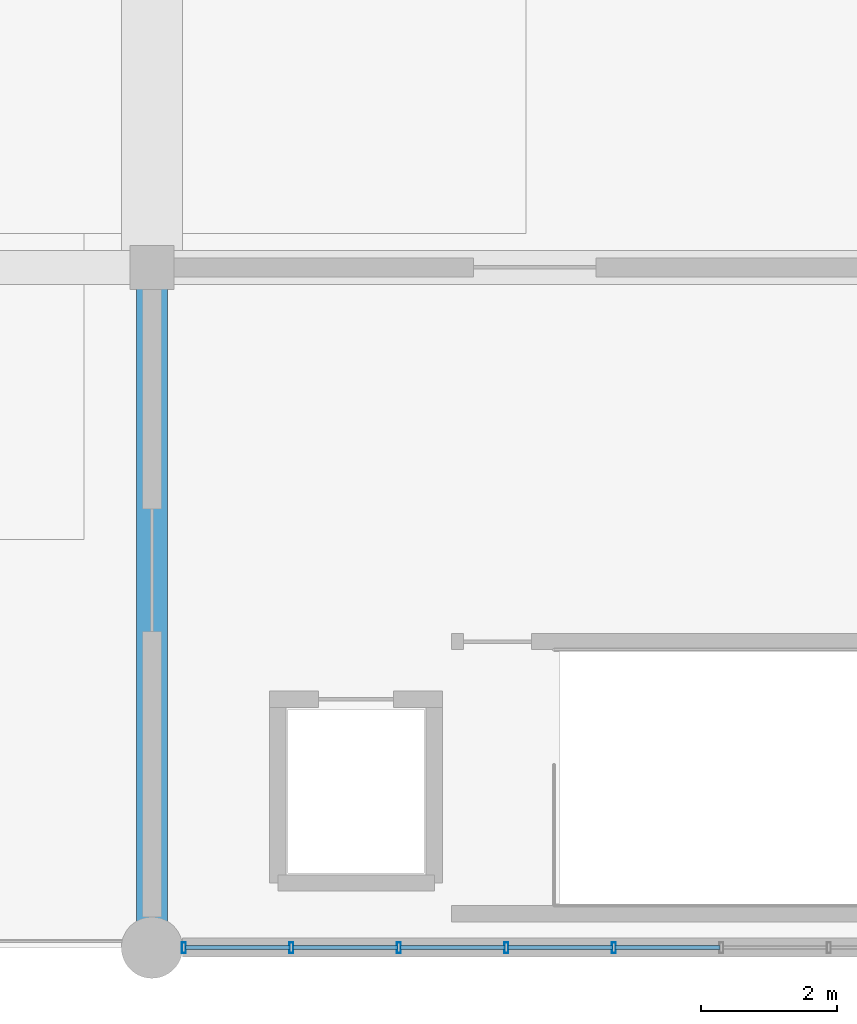
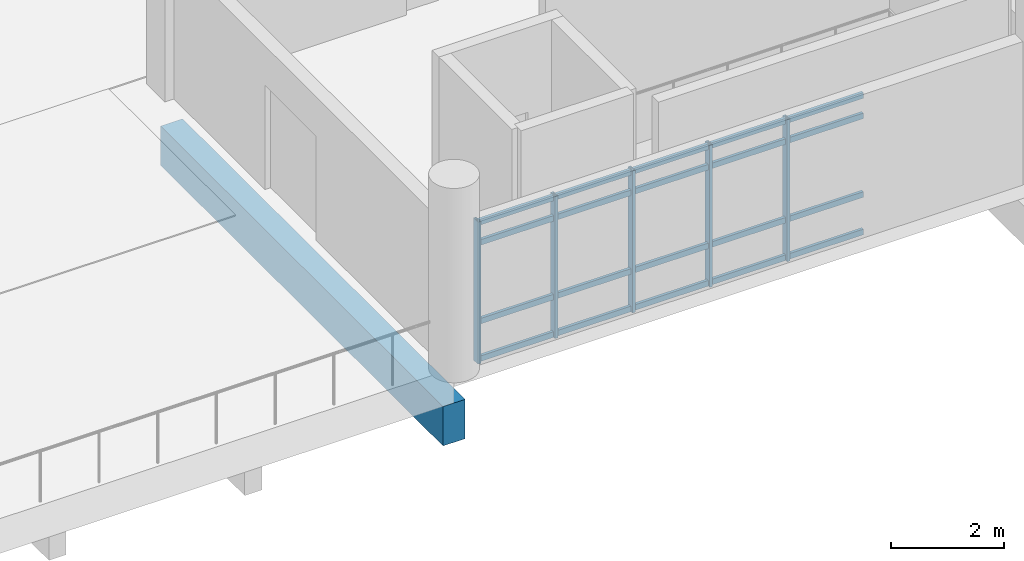
# One storey, part 10 of 111: 25 members, 1 beam, 1 element without a shape of its own.
"""IFC4 building model written with IfcOpenShell, lengths in metres."""

from ifc_helpers import new_model, si_unit, direction, frame, origin, origin_2d, place, context, subcontext, project, spatial, rectangle, hollow_rectangle, extrude, material, layer, layer_set, material_profile, profile_set, type_object, element, aggregate, save


model = new_model("IFC4")

# Units and contexts
model_context = context("Model", 3, precision=1e-05, world=origin(), true_north=direction((0.0, 1.0)))
body_context = subcontext(model_context, "Body", "Model", "MODEL_VIEW")
ifc_project = project(units=[si_unit("LENGTHUNIT", "METRE"), si_unit("AREAUNIT", "SQUARE_METRE"), si_unit("VOLUMEUNIT", "CUBIC_METRE"), si_unit("PLANEANGLEUNIT", "RADIAN"), si_unit("MASSUNIT", "GRAM", prefix="KILO")], contexts=[model_context])

# Site, building, storey
site_placement = place(None, origin())
site = spatial("IfcSite", under=ifc_project, at=site_placement, CompositionType="ELEMENT")
building_placement = place(site_placement, origin())
building = spatial("IfcBuilding", under=site, at=building_placement, Name="Mersad Railyard Sports Hall", CompositionType="ELEMENT")
storey_placement = place(building_placement, frame((0.0, 0.0, 9.0)))
storey = spatial("IfcBuildingStorey", under=building, at=storey_placement, Name="L02", CompositionType="ELEMENT", Elevation=9.0)

# Curtain wall, members
ifc_material_1 = material(Name="Aluminium 6063-T6", Category="aluminium")
ifc_layer = layer(ifc_material_1, 0.159912109375)
ifc_layer_set = layer_set([ifc_layer], Name="Aluminium 6063-T6")
curtain_wall_type = type_object("IfcCurtainWallType", Name="ARC-CW-CW06", PredefinedType="USERDEFINED", material=ifc_layer_set)
curtain_wall_placement = place(storey_placement, origin())
curtain_wall = element("IfcCurtainWall", 1, at=curtain_wall_placement, inside=storey, type_object=curtain_wall_type, Name="Curtain wall CW06-0030", ObjectType="CURTAIN WALL", PredefinedType="USERDEFINED")
ifc_material_profile_1 = material_profile(ifc_material_1, hollow_rectangle(XDim=0.06005859375, YDim=0.159912109375, WallThickness=0.00390625, at=origin_2d()), Name="AL MULLION 60x160x4")
ifc_profile_set_1 = profile_set([ifc_material_profile_1], Name="Aluminium 6063-T6")
member_type_1 = type_object("IfcMemberType", Name="ARC-CW-MUL01", PredefinedType="MULLION", material=ifc_profile_set_1)
member_1_placement = place(storey_placement, frame((85.7900390625, 3.5, -0.02001953125), z_axis=(0.0, 0.0, 1.0), x_axis=(1.0, 0.0, 0.0)))
member_1 = element("IfcMember", 2, at=member_1_placement, type_object=member_type_1, Name="CW06 Mullion 4", PredefinedType="MULLION", context=body_context, shape_type="SweptSolid", body=[
    extrude(hollow_rectangle(XDim=0.06005859375, YDim=0.159912109375, WallThickness=0.00390625, at=origin_2d()), origin(), (0.0, 0.0, 1.0), 3.070068359375),
])
member_2_placement = place(storey_placement, frame((84.2099609375, 3.5, -0.02001953125), z_axis=(0.0, 0.0, 1.0), x_axis=(1.0, 0.0, 0.0)))
member_2 = element("IfcMember", 3, at=member_2_placement, type_object=member_type_1, Name="CW06 Mullion 5", PredefinedType="MULLION", context=body_context, shape_type="SweptSolid", body=[
    extrude(hollow_rectangle(XDim=0.06005859375, YDim=0.159912109375, WallThickness=0.00390625, at=origin_2d()), origin(), (0.0, 0.0, 1.0), 3.070068359375),
])
member_3_placement = place(storey_placement, frame((82.6298828125, 3.5, -0.02001953125), z_axis=(0.0, 0.0, 1.0), x_axis=(1.0, 0.0, 0.0)))
member_3 = element("IfcMember", 4, at=member_3_placement, type_object=member_type_1, Name="CW06 Mullion 6", PredefinedType="MULLION", context=body_context, shape_type="SweptSolid", body=[
    extrude(hollow_rectangle(XDim=0.06005859375, YDim=0.159912109375, WallThickness=0.00390625, at=origin_2d()), origin(), (0.0, 0.0, 1.0), 3.070068359375),
])
member_4_placement = place(storey_placement, frame((81.050048828125, 3.5, -0.02001953125), z_axis=(0.0, 0.0, 1.0), x_axis=(1.0, 0.0, 0.0)))
member_4 = element("IfcMember", 5, at=member_4_placement, type_object=member_type_1, Name="CW06 Mullion 7", PredefinedType="MULLION", context=body_context, shape_type="SweptSolid", body=[
    extrude(hollow_rectangle(XDim=0.06005859375, YDim=0.159912109375, WallThickness=0.00390625, at=origin_2d()), origin(), (0.0, 0.0, 1.0), 3.070068359375),
])
member_5_placement = place(storey_placement, frame((79.469970703125, 3.5, -0.02001953125), z_axis=(0.0, 0.0, 1.0), x_axis=(1.0, 0.0, 0.0)))
member_5 = element("IfcMember", 6, at=member_5_placement, type_object=member_type_1, Name="CW06 Mullion 8", PredefinedType="MULLION", context=body_context, shape_type="SweptSolid", body=[
    extrude(hollow_rectangle(XDim=0.06005859375, YDim=0.159912109375, WallThickness=0.00390625, at=origin_2d()), origin(), (0.0, 0.0, 1.0), 3.070068359375),
])
ifc_material_profile_2 = material_profile(ifc_material_1, hollow_rectangle(XDim=0.06005859375, YDim=0.1201171875, WallThickness=0.00390625, at=origin_2d()), Name="AL TRANSOM 60x120x4")
ifc_profile_set_2 = profile_set([ifc_material_profile_2], Name="Aluminium 6063-T6")
member_type_2 = type_object("IfcMemberType", Name="ARC-CW-TRN01", PredefinedType="USERDEFINED", material=ifc_profile_set_2)
member_6_placement = place(storey_placement, frame((87.35009765625, 3.5, 0.0400390625), z_axis=(-1.0, 0.0, 0.0), x_axis=(0.0, -1.0, 0.0)))
member_6 = element("IfcMember", 7, at=member_6_placement, type_object=member_type_2, Name="CW06 Transom 1-3", ObjectType="TRANSOM", PredefinedType="USERDEFINED", context=body_context, shape_type="SweptSolid", body=[
    extrude(hollow_rectangle(XDim=0.06005859375, YDim=0.1201171875, WallThickness=0.00390625, at=origin_2d()), origin(), (0.0, 0.0, 1.0), 1.5400390625),
])
member_7_placement = place(storey_placement, frame((85.77001953125, 3.5, 0.0400390625), z_axis=(-1.0, 0.0, 0.0), x_axis=(0.0, -1.0, 0.0)))
member_7 = element("IfcMember", 8, at=member_7_placement, type_object=member_type_2, Name="CW06 Transom 1-4", ObjectType="TRANSOM", PredefinedType="USERDEFINED", context=body_context, shape_type="SweptSolid", body=[
    extrude(hollow_rectangle(XDim=0.06005859375, YDim=0.1201171875, WallThickness=0.00390625, at=origin_2d()), origin(), (0.0, 0.0, 1.0), 1.5400390625),
])
member_8_placement = place(storey_placement, frame((84.18994140625, 3.5, 0.0400390625), z_axis=(-1.0, 0.0, 0.0), x_axis=(0.0, -1.0, 0.0)))
member_8 = element("IfcMember", 9, at=member_8_placement, type_object=member_type_2, Name="CW06 Transom 1-5", ObjectType="TRANSOM", PredefinedType="USERDEFINED", context=body_context, shape_type="SweptSolid", body=[
    extrude(hollow_rectangle(XDim=0.06005859375, YDim=0.1201171875, WallThickness=0.00390625, at=origin_2d()), origin(), (0.0, 0.0, 1.0), 1.5400390625),
])
member_9_placement = place(storey_placement, frame((82.610107421875, 3.5, 0.0400390625), z_axis=(-1.0, 0.0, 0.0), x_axis=(0.0, -1.0, 0.0)))
member_9 = element("IfcMember", 10, at=member_9_placement, type_object=member_type_2, Name="CW06 Transom 1-6", ObjectType="TRANSOM", PredefinedType="USERDEFINED", context=body_context, shape_type="SweptSolid", body=[
    extrude(hollow_rectangle(XDim=0.06005859375, YDim=0.1201171875, WallThickness=0.00390625, at=origin_2d()), origin(), (0.0, 0.0, 1.0), 1.5400390625),
])
member_10_placement = place(storey_placement, frame((81.030029296875, 3.5, 0.0400390625), z_axis=(-1.0, 0.0, 0.0), x_axis=(0.0, -1.0, 0.0)))
member_10 = element("IfcMember", 11, at=member_10_placement, type_object=member_type_2, Name="CW06 Transom 1-7", ObjectType="TRANSOM", PredefinedType="USERDEFINED", context=body_context, shape_type="SweptSolid", body=[
    extrude(hollow_rectangle(XDim=0.06005859375, YDim=0.1201171875, WallThickness=0.00390625, at=origin_2d()), origin(), (0.0, 0.0, 1.0), 1.5400390625),
])
member_11_placement = place(storey_placement, frame((87.35009765625, 3.5, 0.85009765625), z_axis=(-1.0, 0.0, 0.0), x_axis=(0.0, -1.0, 0.0)))
member_11 = element("IfcMember", 12, at=member_11_placement, type_object=member_type_2, Name="CW06 Transom 2-3", ObjectType="TRANSOM", PredefinedType="USERDEFINED", context=body_context, shape_type="SweptSolid", body=[
    extrude(hollow_rectangle(XDim=0.06005859375, YDim=0.1201171875, WallThickness=0.00390625, at=origin_2d()), origin(), (0.0, 0.0, 1.0), 1.5400390625),
])
member_12_placement = place(storey_placement, frame((85.77001953125, 3.5, 0.85009765625), z_axis=(-1.0, 0.0, 0.0), x_axis=(0.0, -1.0, 0.0)))
member_12 = element("IfcMember", 13, at=member_12_placement, type_object=member_type_2, Name="CW06 Transom 2-4", ObjectType="TRANSOM", PredefinedType="USERDEFINED", context=body_context, shape_type="SweptSolid", body=[
    extrude(hollow_rectangle(XDim=0.06005859375, YDim=0.1201171875, WallThickness=0.00390625, at=origin_2d()), origin(), (0.0, 0.0, 1.0), 1.5400390625),
])
member_13_placement = place(storey_placement, frame((84.18994140625, 3.5, 0.85009765625), z_axis=(-1.0, 0.0, 0.0), x_axis=(0.0, -1.0, 0.0)))
member_13 = element("IfcMember", 14, at=member_13_placement, type_object=member_type_2, Name="CW06 Transom 2-5", ObjectType="TRANSOM", PredefinedType="USERDEFINED", context=body_context, shape_type="SweptSolid", body=[
    extrude(hollow_rectangle(XDim=0.06005859375, YDim=0.1201171875, WallThickness=0.00390625, at=origin_2d()), origin(), (0.0, 0.0, 1.0), 1.5400390625),
])
member_14_placement = place(storey_placement, frame((82.610107421875, 3.5, 0.85009765625), z_axis=(-1.0, 0.0, 0.0), x_axis=(0.0, -1.0, 0.0)))
member_14 = element("IfcMember", 15, at=member_14_placement, type_object=member_type_2, Name="CW06 Transom 2-6", ObjectType="TRANSOM", PredefinedType="USERDEFINED", context=body_context, shape_type="SweptSolid", body=[
    extrude(hollow_rectangle(XDim=0.06005859375, YDim=0.1201171875, WallThickness=0.00390625, at=origin_2d()), origin(), (0.0, 0.0, 1.0), 1.5400390625),
])
member_15_placement = place(storey_placement, frame((81.030029296875, 3.5, 0.85009765625), z_axis=(-1.0, 0.0, 0.0), x_axis=(0.0, -1.0, 0.0)))
member_15 = element("IfcMember", 16, at=member_15_placement, type_object=member_type_2, Name="CW06 Transom 2-7", ObjectType="TRANSOM", PredefinedType="USERDEFINED", context=body_context, shape_type="SweptSolid", body=[
    extrude(hollow_rectangle(XDim=0.06005859375, YDim=0.1201171875, WallThickness=0.00390625, at=origin_2d()), origin(), (0.0, 0.0, 1.0), 1.5400390625),
])
member_16_placement = place(storey_placement, frame((87.35009765625, 3.5, 2.550048828125), z_axis=(-1.0, 0.0, 0.0), x_axis=(0.0, -1.0, 0.0)))
member_16 = element("IfcMember", 17, at=member_16_placement, type_object=member_type_2, Name="CW06 Transom 3-3", ObjectType="TRANSOM", PredefinedType="USERDEFINED", context=body_context, shape_type="SweptSolid", body=[
    extrude(hollow_rectangle(XDim=0.06005859375, YDim=0.1201171875, WallThickness=0.00390625, at=origin_2d()), origin(), (0.0, 0.0, 1.0), 1.5400390625),
])
member_17_placement = place(storey_placement, frame((85.77001953125, 3.5, 2.550048828125), z_axis=(-1.0, 0.0, 0.0), x_axis=(0.0, -1.0, 0.0)))
member_17 = element("IfcMember", 18, at=member_17_placement, type_object=member_type_2, Name="CW06 Transom 3-4", ObjectType="TRANSOM", PredefinedType="USERDEFINED", context=body_context, shape_type="SweptSolid", body=[
    extrude(hollow_rectangle(XDim=0.06005859375, YDim=0.1201171875, WallThickness=0.00390625, at=origin_2d()), origin(), (0.0, 0.0, 1.0), 1.5400390625),
])
member_18_placement = place(storey_placement, frame((84.18994140625, 3.5, 2.550048828125), z_axis=(-1.0, 0.0, 0.0), x_axis=(0.0, -1.0, 0.0)))
member_18 = element("IfcMember", 19, at=member_18_placement, type_object=member_type_2, Name="CW06 Transom 3-5", ObjectType="TRANSOM", PredefinedType="USERDEFINED", context=body_context, shape_type="SweptSolid", body=[
    extrude(hollow_rectangle(XDim=0.06005859375, YDim=0.1201171875, WallThickness=0.00390625, at=origin_2d()), origin(), (0.0, 0.0, 1.0), 1.5400390625),
])
member_19_placement = place(storey_placement, frame((82.610107421875, 3.5, 2.550048828125), z_axis=(-1.0, 0.0, 0.0), x_axis=(0.0, -1.0, 0.0)))
member_19 = element("IfcMember", 20, at=member_19_placement, type_object=member_type_2, Name="CW06 Transom 3-6", ObjectType="TRANSOM", PredefinedType="USERDEFINED", context=body_context, shape_type="SweptSolid", body=[
    extrude(hollow_rectangle(XDim=0.06005859375, YDim=0.1201171875, WallThickness=0.00390625, at=origin_2d()), origin(), (0.0, 0.0, 1.0), 1.5400390625),
])
member_20_placement = place(storey_placement, frame((81.030029296875, 3.5, 2.550048828125), z_axis=(-1.0, 0.0, 0.0), x_axis=(0.0, -1.0, 0.0)))
member_20 = element("IfcMember", 21, at=member_20_placement, type_object=member_type_2, Name="CW06 Transom 3-7", ObjectType="TRANSOM", PredefinedType="USERDEFINED", context=body_context, shape_type="SweptSolid", body=[
    extrude(hollow_rectangle(XDim=0.06005859375, YDim=0.1201171875, WallThickness=0.00390625, at=origin_2d()), origin(), (0.0, 0.0, 1.0), 1.5400390625),
])
member_21_placement = place(storey_placement, frame((87.35009765625, 3.5, 2.989990234375), z_axis=(-1.0, 0.0, 0.0), x_axis=(0.0, -1.0, 0.0)))
member_21 = element("IfcMember", 22, at=member_21_placement, type_object=member_type_2, Name="CW06 Transom 4-3", ObjectType="TRANSOM", PredefinedType="USERDEFINED", context=body_context, shape_type="SweptSolid", body=[
    extrude(hollow_rectangle(XDim=0.06005859375, YDim=0.1201171875, WallThickness=0.00390625, at=origin_2d()), origin(), (0.0, 0.0, 1.0), 1.5400390625),
])
member_22_placement = place(storey_placement, frame((85.77001953125, 3.5, 2.989990234375), z_axis=(-1.0, 0.0, 0.0), x_axis=(0.0, -1.0, 0.0)))
member_22 = element("IfcMember", 23, at=member_22_placement, type_object=member_type_2, Name="CW06 Transom 4-4", ObjectType="TRANSOM", PredefinedType="USERDEFINED", context=body_context, shape_type="SweptSolid", body=[
    extrude(hollow_rectangle(XDim=0.06005859375, YDim=0.1201171875, WallThickness=0.00390625, at=origin_2d()), origin(), (0.0, 0.0, 1.0), 1.5400390625),
])
member_23_placement = place(storey_placement, frame((84.18994140625, 3.5, 2.989990234375), z_axis=(-1.0, 0.0, 0.0), x_axis=(0.0, -1.0, 0.0)))
member_23 = element("IfcMember", 24, at=member_23_placement, type_object=member_type_2, Name="CW06 Transom 4-5", ObjectType="TRANSOM", PredefinedType="USERDEFINED", context=body_context, shape_type="SweptSolid", body=[
    extrude(hollow_rectangle(XDim=0.06005859375, YDim=0.1201171875, WallThickness=0.00390625, at=origin_2d()), origin(), (0.0, 0.0, 1.0), 1.5400390625),
])
member_24_placement = place(storey_placement, frame((82.610107421875, 3.5, 2.989990234375), z_axis=(-1.0, 0.0, 0.0), x_axis=(0.0, -1.0, 0.0)))
member_24 = element("IfcMember", 25, at=member_24_placement, type_object=member_type_2, Name="CW06 Transom 4-6", ObjectType="TRANSOM", PredefinedType="USERDEFINED", context=body_context, shape_type="SweptSolid", body=[
    extrude(hollow_rectangle(XDim=0.06005859375, YDim=0.1201171875, WallThickness=0.00390625, at=origin_2d()), origin(), (0.0, 0.0, 1.0), 1.5400390625),
])
member_25_placement = place(storey_placement, frame((81.030029296875, 3.5, 2.989990234375), z_axis=(-1.0, 0.0, 0.0), x_axis=(0.0, -1.0, 0.0)))
member_25 = element("IfcMember", 26, at=member_25_placement, type_object=member_type_2, Name="CW06 Transom 4-7", ObjectType="TRANSOM", PredefinedType="USERDEFINED", context=body_context, shape_type="SweptSolid", body=[
    extrude(hollow_rectangle(XDim=0.06005859375, YDim=0.1201171875, WallThickness=0.00390625, at=origin_2d()), origin(), (0.0, 0.0, 1.0), 1.5400390625),
])
aggregate(curtain_wall, [member_1, member_2, member_3, member_4, member_5, member_6, member_7, member_8, member_9, member_10, member_11, member_12, member_13, member_14, member_15, member_16, member_17, member_18, member_19, member_20, member_21, member_22, member_23, member_24, member_25])

# Beam
ifc_material_2 = material(Name="Concrete C40/50", Category="concrete")
ifc_material_profile_3 = material_profile(ifc_material_2, rectangle(XDim=0.449951171875, YDim=0.85009765625, at=origin_2d()), Name="RC 450x850")
ifc_profile_set_3 = profile_set([ifc_material_profile_3], Name="Concrete C40/50")
beam_type = type_object("IfcBeamType", Name="STR-BM-B02", PredefinedType="BEAM", material=ifc_profile_set_3)
beam_placement = place(storey_placement, frame((79.0, 3.5, -1.175048828125), z_axis=(0.0, 1.0, 0.0), x_axis=(-1.0, 0.0, 0.0)))
element("IfcBeam", 27, at=beam_placement, inside=storey, type_object=beam_type, Name="Beam B02-0437", PredefinedType="BEAM", context=body_context, shape_type="SweptSolid", body=[
    extrude(rectangle(XDim=0.449951171875, YDim=0.85009765625, at=origin_2d()), origin(), (0.0, 0.0, 1.0), 10.0),
])

save(model, "model.ifc")
